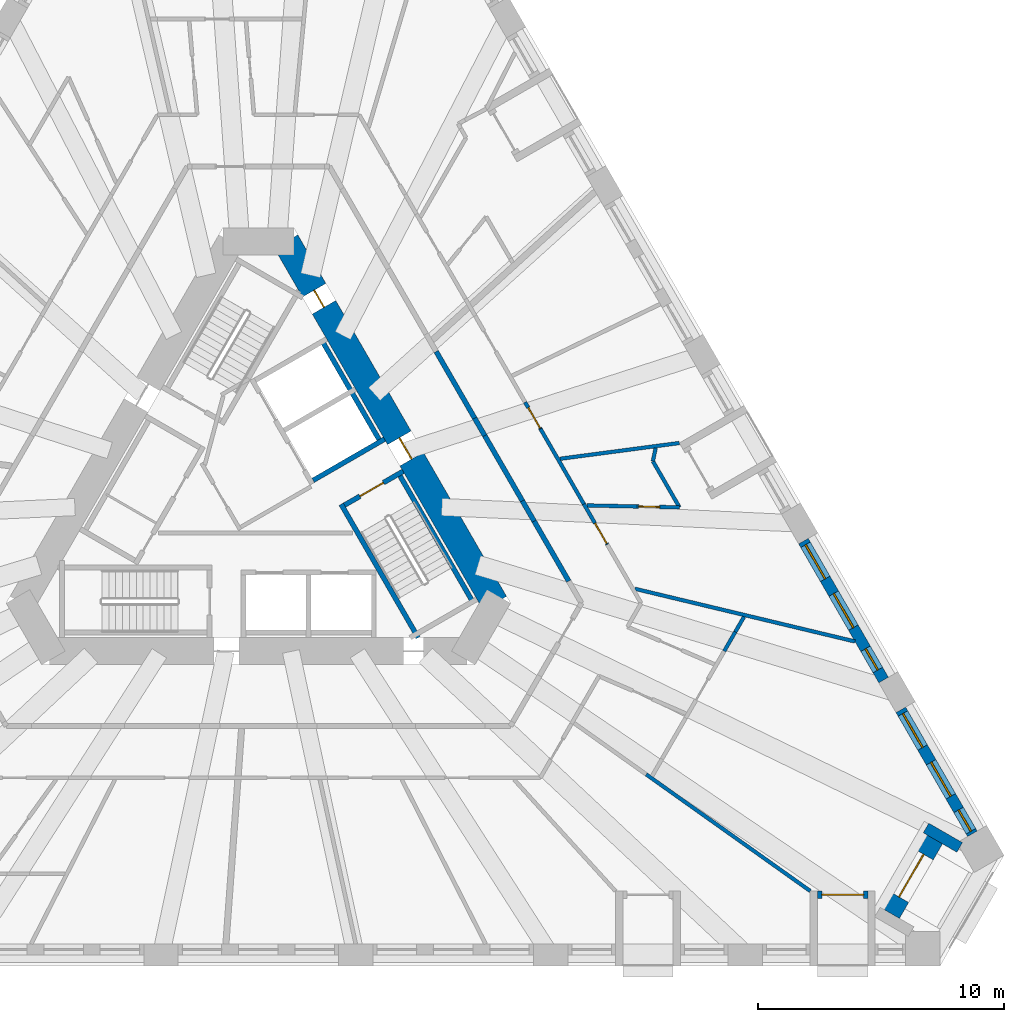
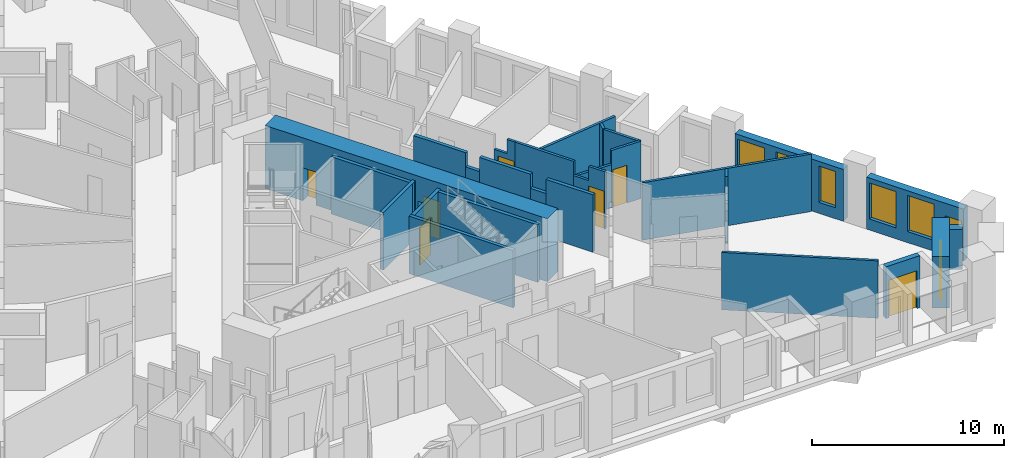
# One storey, part 7 of 14: 28 walls, 8 doors, 6 windows, 14 openings.
"""IFC4 building model written with IfcOpenShell, lengths in metres."""

from ifc_helpers import new_model, si_unit, direction, frame, frame_2d, origin, place, context, subcontext, project, spatial, polyline, rectangle, outline, extrude, material, layer, layer_set, type_object, element, fill, save


model = new_model("IFC4")

# Units and contexts
model_context = context("Model", 3, precision=1e-05, world=origin(), true_north=direction((0.0, 1.0)))
body_context = subcontext(model_context, "Body", "Model", "MODEL_VIEW")
ifc_project = project(units=[si_unit("LENGTHUNIT", "METRE"), si_unit("AREAUNIT", "SQUARE_METRE"), si_unit("VOLUMEUNIT", "CUBIC_METRE"), si_unit("PLANEANGLEUNIT", "RADIAN"), si_unit("MASSUNIT", "GRAM", prefix="KILO")], contexts=[model_context])

# Site, building, storey
site_placement = place(None, origin())
site = spatial("IfcSite", under=ifc_project, at=site_placement, CompositionType="ELEMENT")
building_placement = place(site_placement, origin())
building = spatial("IfcBuilding", under=site, at=building_placement, Name="Tramontana Tower", CompositionType="ELEMENT")
storey_placement = place(building_placement, frame((0.0, 0.0, 30.0)))
storey = spatial("IfcBuildingStorey", under=building, at=storey_placement, Name="L05", CompositionType="ELEMENT", Elevation=30.0)

# Wall, openings, doors
ifc_material_1 = material(Name="Concrete 70 MPa", Category="concrete")
ifc_layer_1 = layer(ifc_material_1, 1.10009765625)
ifc_layer_set_1 = layer_set([ifc_layer_1], Name="Core wall 1100 70 MPa")
wall_type_1 = type_object("IfcWallType", Name="Core wall 1100 70 MPa", PredefinedType="SHEAR", material=ifc_layer_set_1)
wall_1_placement = place(storey_placement, frame((9.61279296875, -4.25, 0.0), z_axis=(0.0, 0.0, 1.0), x_axis=(-0.500001757713, 0.866024388966, 0.0)))
wall_1 = element("IfcWall", 1, at=wall_1_placement, inside=storey, type_object=wall_type_1, Name="Core wall C5 L05", PredefinedType="SHEAR", context=body_context, shape_type="SweptSolid", body=[
    extrude(rectangle(XDim=16.97412109375, YDim=1.10009765625, at=frame_2d((8.487060546875, 0.0))), origin(), (0.0, 0.0, 1.0), 4.0),
])
opening_1_placement = place(wall_1_placement, frame((6.761962890625, 0.0, 0.0)))
opening_1 = element("IfcOpeningElement", 2, at=opening_1_placement, cuts=wall_1, Name="Opening RG3", PredefinedType="OPENING", context=body_context, shape_type="SweptSolid", body=[
    extrude(rectangle(XDim=1.0, YDim=2.39990234375, at=frame_2d((0.5, 1.199951171875))), frame((0.0, 0.56005859375, 0.0), z_axis=(0.0, -1.0, 0.0), x_axis=(1.0, 0.0, 0.0)), (0.0, 0.0, 1.0), 1.1201171875),
])
opening_2_placement = place(wall_1_placement, frame((13.88916015625, 0.0, 0.0)))
opening_2 = element("IfcOpeningElement", 3, at=opening_2_placement, cuts=wall_1, Name="Opening PD3", PredefinedType="OPENING", context=body_context, shape_type="SweptSolid", body=[
    extrude(rectangle(XDim=0.800048828125, YDim=2.10009765625, at=frame_2d((0.39990234375, 1.050048828125))), frame((0.0, 0.56005859375, 0.0), z_axis=(0.0, -1.0, 0.0), x_axis=(1.0, 0.0, 0.0)), (0.0, 0.0, 1.0), 1.1201171875),
])
ifc_material_2 = material(Name="Painted steel", Category="steel")
door_type_1 = type_object("IfcDoorType", Name="CUPBOARD DOOR 800", OperationType="SINGLE_SWING_LEFT", PredefinedType="DOOR", material=ifc_material_2)
door_1_placement = place(opening_2_placement, origin())
door_1 = element("IfcDoor", 4, at=door_1_placement, inside=storey, type_object=door_type_1, Name="Door PD3", OperationType="SINGLE_SWING_RIGHT", OverallHeight=2.10009765625, OverallWidth=0.800048828125, PredefinedType="DOOR", context=body_context, shape_type="SweptSolid", body=[
    extrude(rectangle(XDim=0.800048828125, YDim=2.10009765625, at=frame_2d((0.39990234375, 1.050048828125))), frame((0.0, 0.02490234375, 0.0), z_axis=(0.0, -1.0, 0.0), x_axis=(1.0, 0.0, 0.0)), (0.0, 0.0, 1.0), 0.050048828125),
])
fill(opening_2, door_1)
ifc_material_3 = material(Name="Painted steel", Category="steel")
door_type_2 = type_object("IfcDoorType", Name="RING DOOR 1000", OperationType="SINGLE_SWING_LEFT", PredefinedType="DOOR", material=ifc_material_3)
door_2_placement = place(opening_1_placement, origin())
door_2 = element("IfcDoor", 5, at=door_2_placement, inside=storey, type_object=door_type_2, Name="Door RG3", OperationType="SINGLE_SWING_RIGHT", OverallHeight=2.39990234375, OverallWidth=1.0, PredefinedType="DOOR", context=body_context, shape_type="SweptSolid", body=[
    extrude(rectangle(XDim=1.0, YDim=2.39990234375, at=frame_2d((0.5, 1.199951171875))), frame((0.0, 0.02490234375, 0.0), z_axis=(0.0, -1.0, 0.0), x_axis=(1.0, 0.0, 0.0)), (0.0, 0.0, 1.0), 0.050048828125),
])
fill(opening_1, door_2)

# Walls
ifc_material_4 = material(Name="Blockwork", Category="masonry")
ifc_layer_2 = layer(ifc_material_4, 0.199951171875)
ifc_layer_set_2 = layer_set([ifc_layer_2], Name="ENTRY WALL 200")
wall_type_2 = type_object("IfcWallType", Name="ENTRY WALL 200", PredefinedType="SOLIDWALL", material=ifc_layer_set_2)
wall_2_placement = place(storey_placement, frame((7.228271484375, 5.98046875, 0.0), z_axis=(0.0, 0.0, 1.0), x_axis=(0.499947505232, -0.866055709532, 0.0)))
element("IfcWall", 6, at=wall_2_placement, inside=storey, type_object=wall_type_2, Name="Wall v01-ew0-5", PredefinedType="SOLIDWALL", context=body_context, shape_type="SweptSolid", body=[
    extrude(rectangle(XDim=3.130126953125, YDim=0.199951171875, at=frame_2d((1.56494140625, 0.0))), origin(), (0.0, 0.0, 1.0), 3.64990234375),
])
wall_3_placement = place(storey_placement, frame((8.793212890625, 3.26953125, 0.0), z_axis=(0.0, 0.0, 1.0), x_axis=(0.500118501653, -0.865956976012, 0.0)))
element("IfcWall", 7, at=wall_3_placement, inside=storey, type_object=wall_type_2, Name="Wall v01-ew0-6", PredefinedType="SOLIDWALL", context=body_context, shape_type="SweptSolid", body=[
    extrude(rectangle(XDim=0.818115234375, YDim=0.199951171875, at=frame_2d((0.4091796875, 0.0))), origin(), (0.0, 0.0, 1.0), 2.75),
])
wall_4_placement = place(storey_placement, frame((9.202392578125, 2.56103515625, 0.0), z_axis=(0.0, 0.0, 1.0), x_axis=(0.499952348839, -0.866052913447, 0.0)))
element("IfcWall", 8, at=wall_4_placement, inside=storey, type_object=wall_type_2, Name="Wall v01-ew0-7", PredefinedType="SOLIDWALL", context=body_context, shape_type="SweptSolid", body=[
    extrude(rectangle(XDim=3.064208984375, YDim=0.199951171875, at=frame_2d((1.5322265625, 0.0))), origin(), (0.0, 0.0, 1.0), 3.64990234375),
])
wall_5_placement = place(storey_placement, frame((10.734375, -0.0927734375, 0.0), z_axis=(0.0, 0.0, 1.0), x_axis=(0.500174821557, -0.865924446982, 0.0)))
element("IfcWall", 9, at=wall_5_placement, inside=storey, type_object=wall_type_2, Name="Wall v01-ew0-8", PredefinedType="SOLIDWALL", context=body_context, shape_type="SweptSolid", body=[
    extrude(rectangle(XDim=0.949951171875, YDim=0.199951171875, at=frame_2d((0.47509765625, 0.0))), origin(), (0.0, 0.0, 1.0), 2.75),
])
wall_6_placement = place(storey_placement, frame((11.20947265625, -0.915283203125, 0.0), z_axis=(0.0, 0.0, 1.0), x_axis=(0.49993514545, -0.866062844338, 0.0)))
element("IfcWall", 10, at=wall_6_placement, inside=storey, type_object=wall_type_2, Name="Wall v01-ew0-9", PredefinedType="SOLIDWALL", context=body_context, shape_type="SweptSolid", body=[
    extrude(rectangle(XDim=2.815185546875, YDim=0.199951171875, at=frame_2d((1.40771484375, 0.0))), origin(), (0.0, 0.0, 1.0), 3.64990234375),
])

# Wall, openings, windows
ifc_material_5 = material(Name="Precast concrete 60 MPa", Category="concrete")
ifc_layer_3 = layer(ifc_material_5, 0.449951171875)
ifc_layer_set_3 = layer_set([ifc_layer_3], Name="Precast concrete 60 MPa, 450 mm")
wall_type_3 = type_object("IfcWallType", Name="EW1 Stone-faced precast wall 450", PredefinedType="SOLIDWALL", material=ifc_layer_set_3)
wall_7_placement = place(storey_placement, frame((29.0263671875, -13.625, 0.0), z_axis=(0.0, 0.0, 1.0), x_axis=(-0.500007002644, 0.866021360769, 0.0)))
wall_7 = element("IfcWall", 11, at=wall_7_placement, inside=storey, type_object=wall_type_3, Name="External wall L05 face 2 bay 1", PredefinedType="SOLIDWALL", context=body_context, shape_type="SweptSolid", body=[
    extrude(rectangle(XDim=5.81787109375, YDim=0.449951171875, at=frame_2d((2.908935546875, 0.0))), origin(), (0.0, 0.0, 1.0), 3.300048828125),
])
opening_3_placement = place(wall_7_placement, frame((0.11962890625, 0.0, 0.699951171875)))
opening_3 = element("IfcOpeningElement", 12, at=opening_3_placement, cuts=wall_7, Name="Opening N1L", PredefinedType="OPENING", context=body_context, shape_type="SweptSolid", body=[
    extrude(rectangle(XDim=1.0, YDim=1.800048828125, at=frame_2d((0.5, 0.89990234375))), frame((0.0, 0.23486328125, 0.0), z_axis=(0.0, -1.0, 0.0), x_axis=(1.0, 0.0, 0.0)), (0.0, 0.0, 1.0), 0.469970703125),
])
opening_4_placement = place(wall_7_placement, frame((1.759033203125, 0.0, 0.699951171875)))
opening_4 = element("IfcOpeningElement", 13, at=opening_4_placement, cuts=wall_7, Name="Opening M1", PredefinedType="OPENING", context=body_context, shape_type="SweptSolid", body=[
    extrude(rectangle(XDim=1.60009765625, YDim=2.300048828125, at=frame_2d((0.800048828125, 1.14990234375))), frame((0.0, 0.23486328125, 0.0), z_axis=(0.0, -1.0, 0.0), x_axis=(1.0, 0.0, 0.0)), (0.0, 0.0, 1.0), 0.469970703125),
])
opening_5_placement = place(wall_7_placement, frame((4.04833984375, 0.0, 0.699951171875)))
opening_5 = element("IfcOpeningElement", 14, at=opening_5_placement, cuts=wall_7, Name="Opening M1", PredefinedType="OPENING", context=body_context, shape_type="SweptSolid", body=[
    extrude(rectangle(XDim=1.60009765625, YDim=2.300048828125, at=frame_2d((0.800048828125, 1.14990234375))), frame((0.0, 0.23486328125, 0.0), z_axis=(0.0, -1.0, 0.0), x_axis=(1.0, 0.0, 0.0)), (0.0, 0.0, 1.0), 0.469970703125),
])
ifc_material_6 = material(Name="Aluminum frame, double glazing unit", Category="aluminium")
window_type_1 = type_object("IfcWindowType", Name="M1 Window 1.6 x 2.3", PartitioningType="SINGLE_PANEL", PredefinedType="WINDOW", material=ifc_material_6)
window_1_placement = place(opening_4_placement, origin())
window_1 = element("IfcWindow", 15, at=window_1_placement, inside=storey, type_object=window_type_1, Name="Window M1 L05 face 2 module 2", OverallHeight=2.300048828125, OverallWidth=1.60009765625, PartitioningType="SINGLE_PANEL", PredefinedType="WINDOW", context=body_context, shape_type="SweptSolid", body=[
    extrude(rectangle(XDim=1.60009765625, YDim=2.300048828125, at=frame_2d((0.800048828125, 1.14990234375))), frame((0.0, 0.030029296875, 0.0), z_axis=(0.0, -1.0, 0.0), x_axis=(1.0, 0.0, 0.0)), (0.0, 0.0, 1.0), 0.06005859375),
])
fill(opening_4, window_1)
window_2_placement = place(opening_5_placement, origin())
window_2 = element("IfcWindow", 16, at=window_2_placement, inside=storey, type_object=window_type_1, Name="Window M1 L05 face 2 module 3", OverallHeight=2.300048828125, OverallWidth=1.60009765625, PartitioningType="SINGLE_PANEL", PredefinedType="WINDOW", context=body_context, shape_type="SweptSolid", body=[
    extrude(rectangle(XDim=1.60009765625, YDim=2.300048828125, at=frame_2d((0.800048828125, 1.14990234375))), frame((0.0, 0.030029296875, 0.0), z_axis=(0.0, -1.0, 0.0), x_axis=(1.0, 0.0, 0.0)), (0.0, 0.0, 1.0), 0.06005859375),
])
fill(opening_5, window_2)
ifc_material_7 = material(Name="Aluminum frame, double glazing unit", Category="aluminium")
window_type_2 = type_object("IfcWindowType", Name="N1L Window 1 x 1.8", PartitioningType="SINGLE_PANEL", PredefinedType="WINDOW", material=ifc_material_7)
window_3_placement = place(opening_3_placement, origin())
window_3 = element("IfcWindow", 17, at=window_3_placement, inside=storey, type_object=window_type_2, Name="Window N1L L05 face 2 module 1", OverallHeight=1.800048828125, OverallWidth=1.0, PartitioningType="SINGLE_PANEL", PredefinedType="WINDOW", context=body_context, shape_type="SweptSolid", body=[
    extrude(rectangle(XDim=1.0, YDim=1.800048828125, at=frame_2d((0.5, 0.89990234375))), frame((0.0, 0.030029296875, 0.0), z_axis=(0.0, -1.0, 0.0), x_axis=(1.0, 0.0, 0.0)), (0.0, 0.0, 1.0), 0.06005859375),
])
fill(opening_3, window_3)

wall_8_placement = place(storey_placement, frame((25.417236328125, -7.3740234375, 0.0), z_axis=(0.0, 0.0, 1.0), x_axis=(-0.499990498062, 0.866030889661, 0.0)))
wall_8 = element("IfcWall", 18, at=wall_8_placement, inside=storey, type_object=wall_type_3, Name="External wall L05 face 2 bay 2", PredefinedType="SOLIDWALL", context=body_context, shape_type="SweptSolid", body=[
    extrude(rectangle(XDim=6.517822265625, YDim=0.449951171875, at=frame_2d((3.2587890625, 0.0))), origin(), (0.0, 0.0, 1.0), 3.300048828125),
])
opening_6_placement = place(wall_8_placement, frame((0.4697265625, 0.0, 0.699951171875)))
opening_6 = element("IfcOpeningElement", 19, at=opening_6_placement, cuts=wall_8, Name="Opening N1", PredefinedType="OPENING", context=body_context, shape_type="SweptSolid", body=[
    extrude(rectangle(XDim=1.0, YDim=2.300048828125, at=frame_2d((0.5, 1.14990234375))), frame((0.0, 0.23486328125, 0.0), z_axis=(0.0, -1.0, 0.0), x_axis=(1.0, 0.0, 0.0)), (0.0, 0.0, 1.0), 0.469970703125),
])
opening_7_placement = place(wall_8_placement, frame((2.458984375, 0.0, 0.699951171875)))
opening_7 = element("IfcOpeningElement", 20, at=opening_7_placement, cuts=wall_8, Name="Opening M1", PredefinedType="OPENING", context=body_context, shape_type="SweptSolid", body=[
    extrude(rectangle(XDim=1.60009765625, YDim=2.300048828125, at=frame_2d((0.800048828125, 1.14990234375))), frame((0.0, 0.23486328125, 0.0), z_axis=(0.0, -1.0, 0.0), x_axis=(1.0, 0.0, 0.0)), (0.0, 0.0, 1.0), 0.469970703125),
])
opening_8_placement = place(wall_8_placement, frame((4.748291015625, 0.0, 0.699951171875)))
opening_8 = element("IfcOpeningElement", 21, at=opening_8_placement, cuts=wall_8, Name="Opening M1", PredefinedType="OPENING", context=body_context, shape_type="SweptSolid", body=[
    extrude(rectangle(XDim=1.60009765625, YDim=2.300048828125, at=frame_2d((0.800048828125, 1.14990234375))), frame((0.0, 0.23486328125, 0.0), z_axis=(0.0, -1.0, 0.0), x_axis=(1.0, 0.0, 0.0)), (0.0, 0.0, 1.0), 0.469970703125),
])
window_4_placement = place(opening_7_placement, origin())
window_4 = element("IfcWindow", 22, at=window_4_placement, inside=storey, type_object=window_type_1, Name="Window M1 L05 face 2 module 5", OverallHeight=2.300048828125, OverallWidth=1.60009765625, PartitioningType="SINGLE_PANEL", PredefinedType="WINDOW", context=body_context, shape_type="SweptSolid", body=[
    extrude(rectangle(XDim=1.60009765625, YDim=2.300048828125, at=frame_2d((0.800048828125, 1.14990234375))), frame((0.0, 0.030029296875, 0.0), z_axis=(0.0, -1.0, 0.0), x_axis=(1.0, 0.0, 0.0)), (0.0, 0.0, 1.0), 0.06005859375),
])
fill(opening_7, window_4)
window_5_placement = place(opening_8_placement, origin())
window_5 = element("IfcWindow", 23, at=window_5_placement, inside=storey, type_object=window_type_1, Name="Window M1 L05 face 2 module 6", OverallHeight=2.300048828125, OverallWidth=1.60009765625, PartitioningType="SINGLE_PANEL", PredefinedType="WINDOW", context=body_context, shape_type="SweptSolid", body=[
    extrude(rectangle(XDim=1.60009765625, YDim=2.300048828125, at=frame_2d((0.800048828125, 1.14990234375))), frame((0.0, 0.030029296875, 0.0), z_axis=(0.0, -1.0, 0.0), x_axis=(1.0, 0.0, 0.0)), (0.0, 0.0, 1.0), 0.06005859375),
])
fill(opening_8, window_5)
ifc_material_8 = material(Name="Aluminum frame, double glazing unit", Category="aluminium")
window_type_3 = type_object("IfcWindowType", Name="N1 Window 1 x 2.3", PartitioningType="SINGLE_PANEL", PredefinedType="WINDOW", material=ifc_material_8)
window_6_placement = place(opening_6_placement, origin())
window_6 = element("IfcWindow", 24, at=window_6_placement, inside=storey, type_object=window_type_3, Name="Window N1 L05 face 2 module 4", OverallHeight=2.300048828125, OverallWidth=1.0, PartitioningType="SINGLE_PANEL", PredefinedType="WINDOW", context=body_context, shape_type="SweptSolid", body=[
    extrude(rectangle(XDim=1.0, YDim=2.300048828125, at=frame_2d((0.5, 1.14990234375))), frame((0.0, 0.030029296875, 0.0), z_axis=(0.0, -1.0, 0.0), x_axis=(1.0, 0.0, 0.0)), (0.0, 0.0, 1.0), 0.06005859375),
])
fill(opening_6, window_6)

# Wall
wall_9_placement = place(storey_placement, frame((28.509033203125, -14.17919921875, 0.0), z_axis=(0.0, 0.0, 1.0), x_axis=(-0.866046570609, 0.499963336192, 0.0)))
element("IfcWall", 25, at=wall_9_placement, inside=storey, type_object=wall_type_3, Name="Corner loggia side wall L05 K02l", PredefinedType="SOLIDWALL", context=body_context, shape_type="SweptSolid", body=[
    extrude(rectangle(XDim=1.5791015625, YDim=0.449951171875, at=frame_2d((0.78955078125, 0.0))), origin(), (0.0, 0.0, 1.0), 2.550048828125),
])

# Wall, opening, door
ifc_material_9 = material(Name="Precast concrete 60 MPa", Category="concrete")
ifc_layer_4 = layer(ifc_material_9, 0.89990234375)
ifc_layer_set_4 = layer_set([ifc_layer_4], Name="EW2 Stone-faced corner loggia wall 900")
wall_type_4 = type_object("IfcWallType", Name="EW2 Stone-faced corner loggia wall 900", PredefinedType="SOLIDWALL", material=ifc_layer_set_4)
wall_10_placement = place(storey_placement, frame((27.418701171875, -13.8095703125, 0.0), z_axis=(0.0, 0.0, 1.0), x_axis=(-0.500010275428, -0.866019471182, 0.0)))
wall_10 = element("IfcWall", 26, at=wall_10_placement, inside=storey, type_object=wall_type_4, Name="Corner loggia wall L05 K02", PredefinedType="SOLIDWALL", context=body_context, shape_type="SweptSolid", body=[
    extrude(rectangle(XDim=3.5, YDim=0.89990234375, at=frame_2d((1.75, 0.0))), origin(), (0.0, 0.0, 1.0), 3.300048828125),
])
opening_9_placement = place(wall_10_placement, frame((0.75, 0.0, 0.0)))
opening_9 = element("IfcOpeningElement", 27, at=opening_9_placement, cuts=wall_10, Name="Opening BD-02C", PredefinedType="OPENING", context=body_context, shape_type="SweptSolid", body=[
    extrude(rectangle(XDim=2.0, YDim=2.39990234375, at=frame_2d((1.0, 1.199951171875))), frame((0.0, 0.4599609375, 0.0), z_axis=(0.0, -1.0, 0.0), x_axis=(1.0, 0.0, 0.0)), (0.0, 0.0, 1.0), 0.919921875),
])
ifc_material_10 = material(Name="Aluminum frame, double glazing unit", Category="aluminium")
door_type_3 = type_object("IfcDoorType", Name="BC1 Sliding door 2 x 2.4", OperationType="SLIDING_TO_LEFT", PredefinedType="DOOR", material=ifc_material_10)
door_3_placement = place(opening_9_placement, origin())
door_3 = element("IfcDoor", 28, at=door_3_placement, inside=storey, type_object=door_type_3, Name="Corner loggia door L05 K02", OperationType="SLIDING_TO_LEFT", OverallHeight=2.39990234375, OverallWidth=2.0, PredefinedType="DOOR", context=body_context, shape_type="SweptSolid", body=[
    extrude(rectangle(XDim=2.0, YDim=2.39990234375, at=frame_2d((1.0, 1.199951171875))), frame((0.0, 0.02490234375, 0.0), z_axis=(0.0, -1.0, 0.0), x_axis=(1.0, 0.0, 0.0)), (0.0, 0.0, 1.0), 0.050048828125),
])
fill(opening_9, door_3)

ifc_material_11 = material(Name="Precast concrete 60 MPa", Category="concrete")
ifc_layer_5 = layer(ifc_material_11, 0.300048828125)
ifc_layer_set_5 = layer_set([ifc_layer_5], Name="LW1 Stone-faced loggia wall 300")
wall_type_5 = type_object("IfcWallType", Name="LW1 Stone-faced loggia wall 300", PredefinedType="SOLIDWALL", material=ifc_layer_set_5)
wall_11_placement = place(storey_placement, frame((22.734130859375, -16.10009765625, 0.0), z_axis=(0.0, 0.0, 1.0), x_axis=(1.0, 0.0, 0.0)))
wall_11 = element("IfcWall", 29, at=wall_11_placement, inside=storey, type_object=wall_type_5, Name="Loggia wall L05 G0S1.19", PredefinedType="SOLIDWALL", context=body_context, shape_type="SweptSolid", body=[
    extrude(rectangle(XDim=2.039306640625, YDim=0.300048828125, at=frame_2d((1.01953125, 0.0))), origin(), (0.0, 0.0, 1.0), 3.300048828125),
])
opening_10_placement = place(wall_11_placement, frame((0.169677734375, 0.0, 0.0)))
opening_10 = element("IfcOpeningElement", 30, at=opening_10_placement, cuts=wall_11, Name="Opening BD-0S1-19", PredefinedType="OPENING", context=body_context, shape_type="SweptSolid", body=[
    extrude(rectangle(XDim=1.699951171875, YDim=2.39990234375, at=frame_2d((0.85009765625, 1.199951171875))), frame((0.0, 0.159912109375, 0.0), z_axis=(0.0, -1.0, 0.0), x_axis=(1.0, 0.0, 0.0)), (0.0, 0.0, 1.0), 0.320068359375),
])
ifc_material_12 = material(Name="Aluminum frame, double glazing unit", Category="aluminium")
door_type_4 = type_object("IfcDoorType", Name="BD1 Sliding door 1.7 x 2.4", OperationType="SLIDING_TO_LEFT", PredefinedType="DOOR", material=ifc_material_12)
door_4_placement = place(opening_10_placement, origin())
door_4 = element("IfcDoor", 31, at=door_4_placement, inside=storey, type_object=door_type_4, Name="Loggia door L05 G0S1.19", OperationType="SLIDING_TO_LEFT", OverallHeight=2.39990234375, OverallWidth=1.699951171875, PredefinedType="DOOR", context=body_context, shape_type="SweptSolid", body=[
    extrude(rectangle(XDim=1.699951171875, YDim=2.39990234375, at=frame_2d((0.85009765625, 1.199951171875))), frame((0.0, 0.02490234375, 0.0), z_axis=(0.0, -1.0, 0.0), x_axis=(1.0, 0.0, 0.0)), (0.0, 0.0, 1.0), 0.050048828125),
])
fill(opening_10, door_4)

ifc_material_13 = material(Name="Gypsum board partition")
ifc_layer_6 = layer(ifc_material_13, 0.14990234375)
ifc_layer_set_6 = layer_set([ifc_layer_6], Name="PARTITION 150")
wall_type_6 = type_object("IfcWallType", Name="PARTITION 150", PredefinedType="PARTITIONING", material=ifc_layer_set_6)
wall_12_placement = place(storey_placement, frame((10.842529296875, 3.92041015625, 0.0), z_axis=(0.0, 0.0, 1.0), x_axis=(0.499951613713, -0.866053337818, 0.0)))
wall_12 = element("IfcWall", 32, at=wall_12_placement, inside=storey, type_object=wall_type_6, Name="Wall v01-pw35-5", PredefinedType="PARTITIONING", context=body_context, shape_type="SweptSolid", body=[
    extrude(outline(polyline([(0.0, 0.0), (1.26025390625, 0.0), (1.260498046875, 3.64990234375), (0.79248046875, 3.64990234375), (0.79248046875, 2.75), (0.0, 2.75), (0.0, 0.0)])), frame((0.0, 0.074951171875, 0.0), z_axis=(0.0, -1.0, 0.0), x_axis=(1.0, 0.0, 0.0)), (0.0, 0.0, 1.0), 0.14990234375),
])
opening_11_placement = place(wall_12_placement, frame((0.260498046875, 0.0, 0.0)))
opening_11 = element("IfcOpeningElement", 33, at=opening_11_placement, cuts=wall_12, Name="Opening B0B-31", PredefinedType="OPENING", context=body_context, shape_type="SweptSolid", body=[
    extrude(rectangle(XDim=0.949951171875, YDim=2.39990234375, at=frame_2d((0.47509765625, 1.199951171875))), frame((0.0, 0.0849609375, 0.0), z_axis=(0.0, -1.0, 0.0), x_axis=(1.0, 0.0, 0.0)), (0.0, 0.0, 1.0), 0.169921875),
])
ifc_material_14 = material(Name="Painted timber", Category="wood")
door_type_5 = type_object("IfcDoorType", Name="DOOR ROOM 950", OperationType="SINGLE_SWING_LEFT", PredefinedType="DOOR", material=ifc_material_14)
door_5_placement = place(opening_11_placement, origin())
door_5 = element("IfcDoor", 34, at=door_5_placement, inside=storey, type_object=door_type_5, Name="Door B0B-31", OperationType="SINGLE_SWING_LEFT", OverallHeight=2.39990234375, OverallWidth=0.949951171875, PredefinedType="DOOR", context=body_context, shape_type="SweptSolid", body=[
    extrude(rectangle(XDim=0.949951171875, YDim=2.39990234375, at=frame_2d((0.47509765625, 1.199951171875))), frame((0.0, 0.02490234375, 0.0), z_axis=(0.0, -1.0, 0.0), x_axis=(1.0, 0.0, 0.0)), (0.0, 0.0, 1.0), 0.050048828125),
])
fill(opening_11, door_5)

# Wall
wall_13_placement = place(storey_placement, frame((11.47265625, 2.828857421875, 0.0), z_axis=(0.0, 0.0, 1.0), x_axis=(0.500002592159, -0.866023907196, 0.0)))
element("IfcWall", 35, at=wall_13_placement, inside=storey, type_object=wall_type_6, Name="Wall v01-pw35-6", PredefinedType="PARTITIONING", context=body_context, shape_type="SweptSolid", body=[
    extrude(rectangle(XDim=3.5205078125, YDim=0.14990234375, at=frame_2d((1.76025390625, 0.0))), origin(), (0.0, 0.0, 1.0), 3.64990234375),
])

# Wall, opening, door
wall_14_placement = place(storey_placement, frame((13.23291015625, -0.219970703125, 0.0), z_axis=(0.0, 0.0, 1.0), x_axis=(0.499948320023, -0.866055239177, 0.0)))
wall_14 = element("IfcWall", 36, at=wall_14_placement, inside=storey, type_object=wall_type_6, Name="Wall v01-pw35-7", PredefinedType="PARTITIONING", context=body_context, shape_type="SweptSolid", body=[
    extrude(outline(polyline([(0.0, 0.0), (1.902587890625, 0.0), (1.902587890625, 3.64990234375), (0.920166015625, 3.64990234375), (0.920166015625, 2.75), (0.0, 2.75), (0.0, 0.0)])), frame((0.0, 0.074951171875, 0.0), z_axis=(0.0, -1.0, 0.0), x_axis=(1.0, 0.0, 0.0)), (0.0, 0.0, 1.0), 0.14990234375),
])
opening_12_placement = place(wall_14_placement, frame((0.902587890625, 0.0, 0.0)))
opening_12 = element("IfcOpeningElement", 37, at=opening_12_placement, cuts=wall_14, Name="Opening B0B-30", PredefinedType="OPENING", context=body_context, shape_type="SweptSolid", body=[
    extrude(rectangle(XDim=0.949951171875, YDim=2.39990234375, at=frame_2d((0.47509765625, 1.199951171875))), frame((0.0, 0.0849609375, 0.0), z_axis=(0.0, -1.0, 0.0), x_axis=(1.0, 0.0, 0.0)), (0.0, 0.0, 1.0), 0.169921875),
])
door_6_placement = place(opening_12_placement, origin())
door_6 = element("IfcDoor", 38, at=door_6_placement, inside=storey, type_object=door_type_5, Name="Door B0B-30", OperationType="SINGLE_SWING_RIGHT", OverallHeight=2.39990234375, OverallWidth=0.949951171875, PredefinedType="DOOR", context=body_context, shape_type="SweptSolid", body=[
    extrude(rectangle(XDim=0.949951171875, YDim=2.39990234375, at=frame_2d((0.47509765625, 1.199951171875))), frame((0.0, 0.02490234375, 0.0), z_axis=(0.0, -1.0, 0.0), x_axis=(1.0, 0.0, 0.0)), (0.0, 0.0, 1.0), 0.050048828125),
])
fill(opening_12, door_6)

# Walls
wall_15_placement = place(storey_placement, frame((12.257568359375, 1.619384765625, 0.0), z_axis=(0.0, 0.0, 1.0), x_axis=(0.991386113533, 0.130971653017, 0.0)))
element("IfcWall", 39, at=wall_15_placement, inside=storey, type_object=wall_type_6, Name="Wall v01-pw46", PredefinedType="PARTITIONING", context=body_context, shape_type="SweptSolid", body=[
    extrude(rectangle(XDim=4.89697265625, YDim=0.14990234375, at=frame_2d((2.448486328125, 0.0))), origin(), (0.0, 0.0, 1.0), 3.64990234375),
])
wall_16_placement = place(storey_placement, frame((15.308837890625, -3.66552734375, 0.0), z_axis=(0.0, 0.0, 1.0), x_axis=(0.97251005754, -0.232860876887, 0.0)))
element("IfcWall", 40, at=wall_16_placement, inside=storey, type_object=wall_type_6, Name="Wall v01-pw51", PredefinedType="PARTITIONING", context=body_context, shape_type="SweptSolid", body=[
    extrude(rectangle(XDim=9.197021484375, YDim=0.14990234375, at=frame_2d((4.5986328125, 0.0))), origin(), (0.0, 0.0, 1.0), 3.64990234375),
])
wall_17_placement = place(storey_placement, frame((16.037109375, 1.5224609375, 0.0), z_axis=(0.0, 0.0, 1.0), x_axis=(0.500014901547, -0.866016800201, 0.0)))
element("IfcWall", 41, at=wall_17_placement, inside=storey, type_object=wall_type_6, Name="Wall v01-pw53", PredefinedType="PARTITIONING", context=body_context, shape_type="SweptSolid", body=[
    extrude(rectangle(XDim=2.16796875, YDim=0.14990234375, at=frame_2d((1.083984375, 0.0))), origin(), (0.0, 0.0, 1.0), 3.64990234375),
])
wall_18_placement = place(storey_placement, frame((16.15234375, 2.057861328125, 0.0), z_axis=(0.0, 0.0, 1.0), x_axis=(-0.211390488709, -0.977401688807, 0.0)))
element("IfcWall", 42, at=wall_18_placement, inside=storey, type_object=wall_type_6, Name="Wall v01-pw54", PredefinedType="PARTITIONING", context=body_context, shape_type="SweptSolid", body=[
    extrude(rectangle(XDim=0.54638671875, YDim=0.14990234375, at=frame_2d((0.273193359375, 0.0))), origin(), (0.0, 0.0, 1.0), 3.64990234375),
])

# Wall, opening, door
wall_19_placement = place(storey_placement, frame((15.39794921875, -0.3193359375, 0.0), z_axis=(0.0, 0.0, 1.0), x_axis=(0.99978317962, -0.020822914056, 0.0)))
wall_19 = element("IfcWall", 43, at=wall_19_placement, inside=storey, type_object=wall_type_6, Name="Wall v01-pw55-0", PredefinedType="PARTITIONING", context=body_context, shape_type="SweptSolid", body=[
    extrude(rectangle(XDim=1.7236328125, YDim=0.14990234375, at=frame_2d((0.86181640625, 0.0))), origin(), (0.0, 0.0, 1.0), 3.64990234375),
])
opening_13_placement = place(wall_19_placement, frame((0.06396484375, 0.0, 0.0)))
opening_13 = element("IfcOpeningElement", 44, at=opening_13_placement, cuts=wall_19, Name="Opening B0B-33", PredefinedType="OPENING", context=body_context, shape_type="SweptSolid", body=[
    extrude(rectangle(XDim=0.85009765625, YDim=2.39990234375, at=frame_2d((0.425048828125, 1.199951171875))), frame((0.0, 0.0849609375, 0.0), z_axis=(0.0, -1.0, 0.0), x_axis=(1.0, 0.0, 0.0)), (0.0, 0.0, 1.0), 0.169921875),
])
ifc_material_15 = material(Name="Painted timber", Category="wood")
door_type_6 = type_object("IfcDoorType", Name="DOOR BATH 850", OperationType="SINGLE_SWING_LEFT", PredefinedType="DOOR", material=ifc_material_15)
door_7_placement = place(opening_13_placement, origin())
door_7 = element("IfcDoor", 45, at=door_7_placement, inside=storey, type_object=door_type_6, Name="Door B0B-33", OperationType="SINGLE_SWING_LEFT", OverallHeight=2.39990234375, OverallWidth=0.85009765625, PredefinedType="DOOR", context=body_context, shape_type="SweptSolid", body=[
    extrude(rectangle(XDim=0.85009765625, YDim=2.39990234375, at=frame_2d((0.425048828125, 1.199951171875))), frame((0.0, 0.02490234375, 0.0), z_axis=(0.0, -1.0, 0.0), x_axis=(1.0, 0.0, 0.0)), (0.0, 0.0, 1.0), 0.050048828125),
])
fill(opening_13, door_7)

# Walls
wall_20_placement = place(storey_placement, frame((15.39794921875, -0.3193359375, 0.0), z_axis=(0.0, 0.0, 1.0), x_axis=(-0.999786870954, 0.020644918677, 0.0)))
element("IfcWall", 46, at=wall_20_placement, inside=storey, type_object=wall_type_6, Name="Wall v01-pw55-1", PredefinedType="PARTITIONING", context=body_context, shape_type="SweptSolid", body=[
    extrude(rectangle(XDim=2.0458984375, YDim=0.14990234375, at=frame_2d((1.02294921875, 0.0))), origin(), (0.0, 0.0, 1.0), 2.75),
])
wall_21_placement = place(storey_placement, frame((19.742919921875, -4.804443359375, 0.0), z_axis=(0.0, 0.0, 1.0), x_axis=(-0.500248917644, -0.865881643411, 0.0)))
element("IfcWall", 47, at=wall_21_placement, inside=storey, type_object=wall_type_6, Name="Wall v01-pw57-0", PredefinedType="PARTITIONING", context=body_context, shape_type="SweptSolid", body=[
    extrude(rectangle(XDim=0.709228515625, YDim=0.14990234375, at=frame_2d((0.3544921875, 0.0))), origin(), (0.0, 0.0, 1.0), 3.64990234375),
])
wall_22_placement = place(storey_placement, frame((19.38818359375, -5.41845703125, 0.0), z_axis=(0.0, 0.0, 1.0), x_axis=(-0.499996880198, -0.866027204995, 0.0)))
element("IfcWall", 48, at=wall_22_placement, inside=storey, type_object=wall_type_6, Name="Wall v01-pw57-1", PredefinedType="PARTITIONING", context=body_context, shape_type="SweptSolid", body=[
    extrude(rectangle(XDim=0.8984375, YDim=0.14990234375, at=frame_2d((0.44921875, 0.0))), origin(), (0.0, 0.0, 1.0), 2.550048828125),
])
wall_23_placement = place(storey_placement, frame((22.43408203125, -15.949951171875, 0.0), z_axis=(0.0, 0.0, 1.0), x_axis=(-0.815008268832, 0.579449326288, 0.0)))
element("IfcWall", 49, at=wall_23_placement, inside=storey, type_object=wall_type_6, Name="Wall v01-pw58-0", PredefinedType="PARTITIONING", context=body_context, shape_type="SweptSolid", body=[
    extrude(rectangle(XDim=8.178466796875, YDim=0.14990234375, at=frame_2d((4.08935546875, 0.0))), origin(), (0.0, 0.0, 1.0), 3.64990234375),
])
ifc_material_16 = material(Name="Concrete 70 MPa", Category="concrete")
ifc_layer_7 = layer(ifc_material_16, 0.199951171875)
ifc_layer_set_7 = layer_set([ifc_layer_7], Name="Concrete 70 MPa, 200 mm")
wall_type_7 = type_object("IfcWallType", Name="RC SHAFT BACK WALL 200", PredefinedType="SOLIDWALL", material=ifc_layer_set_7)
wall_24_placement = place(storey_placement, frame((8.759765625, -4.2724609375, 0.0), z_axis=(0.0, 0.0, 1.0), x_axis=(-0.49998037582, 0.866036733513, 0.0)))
element("IfcWall", 50, at=wall_24_placement, inside=storey, type_object=wall_type_7, Name="Wall st3-back", PredefinedType="SOLIDWALL", context=body_context, shape_type="SweptSolid", body=[
    extrude(rectangle(XDim=6.199951171875, YDim=0.199951171875, at=frame_2d((3.10009765625, 0.0))), origin(), (0.0, 0.0, 1.0), 3.64990234375),
])
wall_25_placement = place(storey_placement, frame((5.0048828125, 2.2314453125, 0.0), z_axis=(0.0, 0.0, 1.0), x_axis=(-0.500002801628, 0.866023786258, 0.0)))
element("IfcWall", 51, at=wall_25_placement, inside=storey, type_object=wall_type_7, Name="Wall row2-back", PredefinedType="SOLIDWALL", context=body_context, shape_type="SweptSolid", body=[
    extrude(rectangle(XDim=4.89990234375, YDim=0.199951171875, at=frame_2d((2.449951171875, 0.0))), origin(), (0.0, 0.0, 1.0), 3.64990234375),
])
ifc_material_17 = material(Name="Concrete 70 MPa", Category="concrete")
ifc_layer_8 = layer(ifc_material_17, 0.199951171875)
ifc_layer_set_8 = layer_set([ifc_layer_8], Name="Concrete 70 MPa, 200 mm")
wall_type_8 = type_object("IfcWallType", Name="RC STAIR AND SHAFT WALL 200", PredefinedType="SOLIDWALL", material=ifc_layer_set_8)
wall_26_placement = place(storey_placement, frame((6.4951171875, -5.64990234375, 0.0), z_axis=(0.0, 0.0, 1.0), x_axis=(-0.499976754523, 0.866038824151, 0.0)))
element("IfcWall", 52, at=wall_26_placement, inside=storey, type_object=wall_type_8, Name="Wall st3-front", PredefinedType="SOLIDWALL", context=body_context, shape_type="SweptSolid", body=[
    extrude(rectangle(XDim=6.260498046875, YDim=0.199951171875, at=frame_2d((3.13037109375, 0.0))), origin(), (0.0, 0.0, 1.0), 3.64990234375),
])

# Wall, opening, door
wall_27_placement = place(storey_placement, frame((3.50146484375, -0.2646484375, 0.0), z_axis=(0.0, 0.0, 1.0), x_axis=(0.866027397988, 0.499996545922, 0.0)))
wall_27 = element("IfcWall", 53, at=wall_27_placement, inside=storey, type_object=wall_type_8, Name="Wall st3-near", PredefinedType="SOLIDWALL", context=body_context, shape_type="SweptSolid", body=[
    extrude(rectangle(XDim=2.75, YDim=0.199951171875, at=frame_2d((1.375, 0.0))), origin(), (0.0, 0.0, 1.0), 3.64990234375),
])
opening_14_placement = place(wall_27_placement, frame((0.72509765625, 0.0, 0.0)))
opening_14 = element("IfcOpeningElement", 54, at=opening_14_placement, cuts=wall_27, Name="Opening SD3", PredefinedType="OPENING", context=body_context, shape_type="SweptSolid", body=[
    extrude(rectangle(XDim=1.10009765625, YDim=2.39990234375, at=frame_2d((0.550048828125, 1.199951171875))), frame((0.0, 0.10986328125, 0.0), z_axis=(0.0, -1.0, 0.0), x_axis=(1.0, 0.0, 0.0)), (0.0, 0.0, 1.0), 0.219970703125),
])
ifc_material_18 = material(Name="Painted steel", Category="steel")
door_type_7 = type_object("IfcDoorType", Name="STAIR DOOR 1100", OperationType="SINGLE_SWING_LEFT", PredefinedType="DOOR", material=ifc_material_18)
door_8_placement = place(opening_14_placement, origin())
door_8 = element("IfcDoor", 55, at=door_8_placement, inside=storey, type_object=door_type_7, Name="Door SD3", OperationType="SINGLE_SWING_RIGHT", OverallHeight=2.39990234375, OverallWidth=1.10009765625, PredefinedType="DOOR", context=body_context, shape_type="SweptSolid", body=[
    extrude(rectangle(XDim=1.10009765625, YDim=2.39990234375, at=frame_2d((0.550048828125, 1.199951171875))), frame((0.0, 0.02490234375, 0.0), z_axis=(0.0, -1.0, 0.0), x_axis=(1.0, 0.0, 0.0)), (0.0, 0.0, 1.0), 0.050048828125),
])
fill(opening_14, door_8)

# Wall
wall_28_placement = place(storey_placement, frame((2.226806640625, 0.742919921875, 0.0), z_axis=(0.0, 0.0, 1.0), x_axis=(0.866014461049, 0.500018952895, 0.0)))
element("IfcWall", 56, at=wall_28_placement, inside=storey, type_object=wall_type_8, Name="Wall row2-side0", PredefinedType="SOLIDWALL", context=body_context, shape_type="SweptSolid", body=[
    extrude(rectangle(XDim=3.349853515625, YDim=0.199951171875, at=frame_2d((1.6748046875, 0.0))), origin(), (0.0, 0.0, 1.0), 3.64990234375),
])

save(model, "model.ifc")
